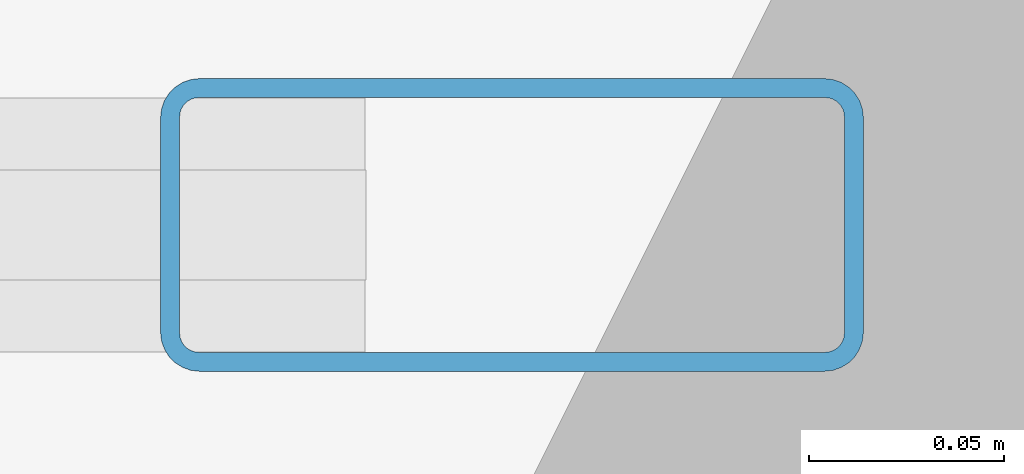
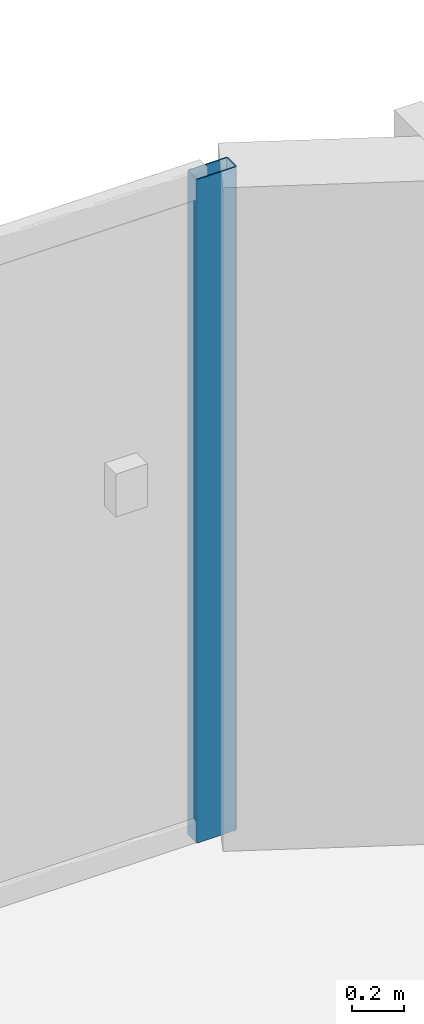
# One storey, part 8 of 21: 1 member, 1 element without a shape of its own.
"""IFC4 building model written with IfcOpenShell, lengths in metres."""

from ifc_helpers import new_model, si_unit, direction, frame, origin, origin_2d, place, context, subcontext, project, spatial, hollow_rectangle, extrude, material, layer, layer_set, material_profile, profile_set, type_object, element, aggregate, save


model = new_model("IFC4")

# Units and contexts
model_context = context("Model", 3, precision=1e-05, world=origin(), true_north=direction((0.0, 1.0)))
body_context = subcontext(model_context, "Body", "Model", "MODEL_VIEW")
ifc_project = project(units=[si_unit("LENGTHUNIT", "METRE"), si_unit("AREAUNIT", "SQUARE_METRE"), si_unit("VOLUMEUNIT", "CUBIC_METRE"), si_unit("PLANEANGLEUNIT", "RADIAN"), si_unit("MASSUNIT", "GRAM", prefix="KILO")], contexts=[model_context])

# Site, building, storey
site_placement = place(None, origin())
site = spatial("IfcSite", under=ifc_project, at=site_placement, CompositionType="ELEMENT")
building_placement = place(site_placement, origin())
building = spatial("IfcBuilding", under=site, at=building_placement, Name="Tarnavaz Court Tower", CompositionType="ELEMENT")
storey_placement = place(building_placement, frame((0.0, 0.0, 44.10009765625)))
storey = spatial("IfcBuildingStorey", under=building, at=storey_placement, Name="L11", CompositionType="ELEMENT", Elevation=44.10009765625)

# Curtain wall, member
ifc_material_1 = material(Name="Anodised Aluminium 6063-T6 and Solar Low-E Glazing", Category="aluminium")
ifc_layer = layer(ifc_material_1, 0.179931640625)
ifc_layer_set = layer_set([ifc_layer], Name="Anodised Aluminium 6063-T6 and Solar Low-E Glazing")
curtain_wall_type = type_object("IfcCurtainWallType", Name="CW-SYS-02", PredefinedType="NOTDEFINED", material=ifc_layer_set)
curtain_wall_placement = place(storey_placement, origin())
curtain_wall = element("IfcCurtainWall", 1, at=curtain_wall_placement, inside=storey, type_object=curtain_wall_type, Name="L11 Iwan Prow Curtain Wall 7", PredefinedType="NOTDEFINED")
ifc_material_2 = material(Name="Anodised Aluminium 6063-T6", Category="aluminium")
ifc_material_profile = material_profile(ifc_material_2, hollow_rectangle(XDim=0.074951171875, YDim=0.179931640625, WallThickness=0.0048828125, InnerFilletRadius=0.0048828125, OuterFilletRadius=0.010009765625, at=origin_2d()), Name="ALU RHS 180X75X5")
ifc_profile_set = profile_set([ifc_material_profile], Name="Anodised Aluminium 6063-T6")
member_type = type_object("IfcMemberType", Name="CW-MUL-180", PredefinedType="MULLION", material=ifc_profile_set)
member_placement = place(storey_placement, frame((4.3125, 25.050048828125, 0.0), z_axis=(0.0, 0.0, 1.0), x_axis=(0.0, 1.0, 0.0)))
member = element("IfcMember", 2, at=member_placement, type_object=member_type, Name="CW mullion 4", PredefinedType="MULLION", context=body_context, shape_type="SweptSolid", body=[
    extrude(hollow_rectangle(XDim=0.074951171875, YDim=0.179931640625, WallThickness=0.0048828125, InnerFilletRadius=0.0048828125, OuterFilletRadius=0.010009765625, at=origin_2d()), origin(), (0.0, 0.0, 1.0), 3.099853515625),
])
aggregate(curtain_wall, [member])

save(model, "model.ifc")
